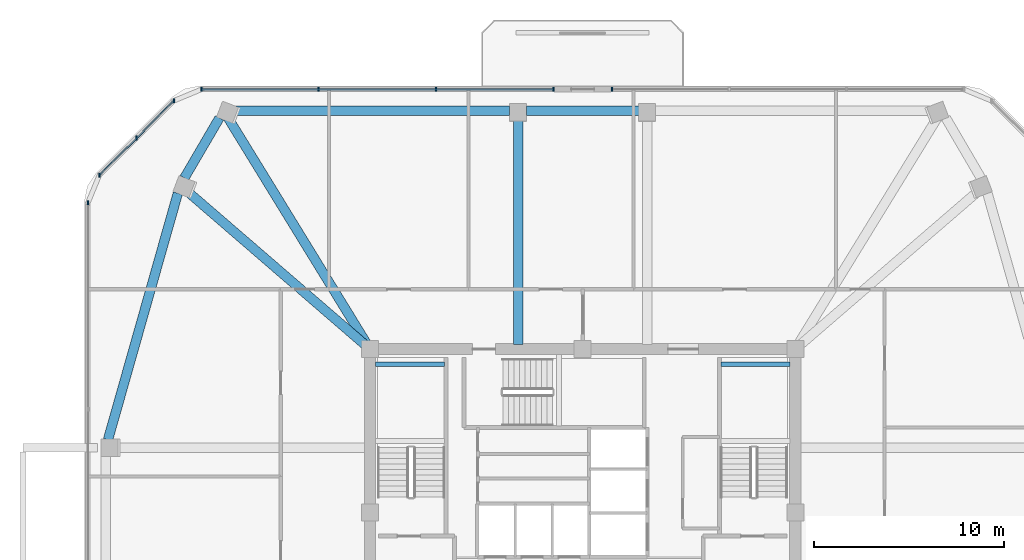
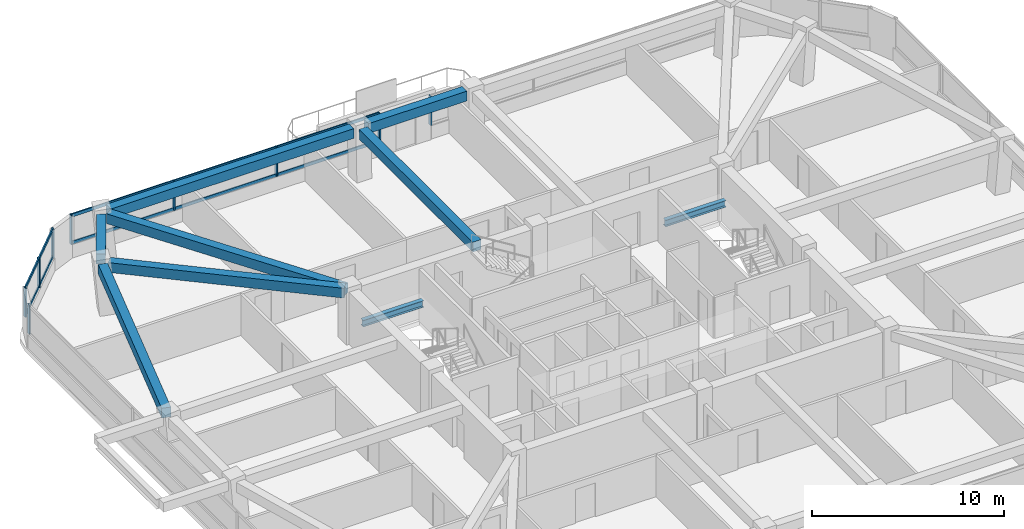
# One storey, part 6 of 14: 13 members, 9 beams, 4 elements without a shape of their own.
"""IFC4 building model written with IfcOpenShell, lengths in metres."""

from ifc_helpers import new_model, si_unit, derived_unit, direction, frame, origin, origin_2d, place, context, subcontext, project, spatial, rectangle, i_section, extrude, material, material_profile, profile_set, type_object, element, aggregate, save


model = new_model("IFC4")

# Units and contexts
model_context = context("Model", 3, precision=1e-05, world=origin(), true_north=direction((0.0, 1.0)))
body_context = subcontext(model_context, "Body", "Model", "MODEL_VIEW")
ifc_project = project(units=[si_unit("LENGTHUNIT", "METRE"), si_unit("AREAUNIT", "SQUARE_METRE"), si_unit("VOLUMEUNIT", "CUBIC_METRE"), si_unit("PLANEANGLEUNIT", "RADIAN"), si_unit("MASSUNIT", "GRAM", prefix="KILO"), derived_unit("THERMALTRANSMITTANCEUNIT", [(si_unit("POWERUNIT", "WATT"), 1), (si_unit("LENGTHUNIT", "METRE"), -2), (si_unit("THERMODYNAMICTEMPERATUREUNIT", "KELVIN"), -1)])], contexts=[model_context])

# Site, building, storey
site_placement = place(None, origin())
site = spatial("IfcSite", under=ifc_project, at=site_placement, CompositionType="ELEMENT")
building_placement = place(site_placement, origin())
building = spatial("IfcBuilding", under=site, at=building_placement, Name="Koralith Skygarden Medical Center", CompositionType="ELEMENT")
storey_placement = place(building_placement, frame((0.0, 0.0, 210.780029296875)))
storey = spatial("IfcBuildingStorey", under=building, at=storey_placement, Name="L54", CompositionType="ELEMENT", Elevation=210.780029296875)

# Curtain wall, member
ifc_material_1 = material(Name="Clear Laminated Glass", Category="glass")
curtain_wall_type = type_object("IfcCurtainWallType", Name="CW-5 Zone 4 Flare Biophilic Curtain Wall", PredefinedType="NOTDEFINED", material=ifc_material_1)
curtain_wall_1_placement = place(storey_placement, origin())
curtain_wall_1 = element("IfcCurtainWall", 1, at=curtain_wall_1_placement, inside=storey, type_object=curtain_wall_type, Name="Curtain Wall CW-L54-N-L", PredefinedType="NOTDEFINED")
ifc_material_2 = material(Name="Aluminium 6063-T6", Category="aluminium")
ifc_material_profile_1 = material_profile(ifc_material_2, rectangle(XDim=0.080078125, YDim=0.219970703125, at=origin_2d()), Name="MUL80X220")
ifc_profile_set_1 = profile_set([ifc_material_profile_1], Name="Aluminium 6063-T6")
member_type_1 = type_object("IfcMemberType", Name="CW-5 Extruded Mullion 80x220", PredefinedType="MULLION", material=ifc_profile_set_1)
member_1_placement = place(storey_placement, frame((38.541015625, 48.173095703125, 0.849853515625), z_axis=(0.0, 0.0, 1.0), x_axis=(1.0, 0.0, 0.0)))
member_1 = element("IfcMember", 2, at=member_1_placement, type_object=member_type_1, Name="CW-L54-N-L Mullion 4", PredefinedType="MULLION", context=body_context, shape_type="SweptSolid", body=[
    extrude(rectangle(XDim=0.080078125, YDim=0.219970703125, at=origin_2d()), origin(), (0.0, 0.0, 1.0), 1.840087890625),
])
aggregate(curtain_wall_1, [member_1])

# Curtain wall, members
curtain_wall_2_placement = place(storey_placement, origin())
curtain_wall_2 = element("IfcCurtainWall", 3, at=curtain_wall_2_placement, inside=storey, type_object=curtain_wall_type, Name="Curtain Wall CW-L54-N-R", PredefinedType="NOTDEFINED")
member_2_placement = place(storey_placement, frame((35.4609375, 48.173095703125, 0.849853515625), z_axis=(0.0, 0.0, 1.0), x_axis=(1.0, 0.0, 0.0)))
member_2 = element("IfcMember", 4, at=member_2_placement, type_object=member_type_1, Name="CW-L54-N-R Mullion 1", PredefinedType="MULLION", context=body_context, shape_type="SweptSolid", body=[
    extrude(rectangle(XDim=0.080078125, YDim=0.219970703125, at=origin_2d()), origin(), (0.0, 0.0, 1.0), 1.840087890625),
])
member_3_placement = place(storey_placement, frame((29.281005859375, 48.173095703125, 0.849853515625), z_axis=(0.0, 0.0, 1.0), x_axis=(1.0, 0.0, 0.0)))
member_3 = element("IfcMember", 5, at=member_3_placement, type_object=member_type_1, Name="CW-L54-N-R Mullion 2", PredefinedType="MULLION", context=body_context, shape_type="SweptSolid", body=[
    extrude(rectangle(XDim=0.080078125, YDim=0.219970703125, at=origin_2d()), origin(), (0.0, 0.0, 1.0), 1.840087890625),
])
member_4_placement = place(storey_placement, frame((23.10009765625, 48.173095703125, 0.849853515625), z_axis=(0.0, 0.0, 1.0), x_axis=(1.0, 0.0, 0.0)))
member_4 = element("IfcMember", 6, at=member_4_placement, type_object=member_type_1, Name="CW-L54-N-R Mullion 3", PredefinedType="MULLION", context=body_context, shape_type="SweptSolid", body=[
    extrude(rectangle(XDim=0.080078125, YDim=0.219970703125, at=origin_2d()), origin(), (0.0, 0.0, 1.0), 1.840087890625),
])
member_5_placement = place(storey_placement, frame((16.919921875, 48.173095703125, 0.849853515625), z_axis=(0.0, 0.0, 1.0), x_axis=(1.0, 0.0, 0.0)))
member_5 = element("IfcMember", 7, at=member_5_placement, type_object=member_type_1, Name="CW-L54-N-R Mullion 4", PredefinedType="MULLION", context=body_context, shape_type="SweptSolid", body=[
    extrude(rectangle(XDim=0.080078125, YDim=0.219970703125, at=origin_2d()), origin(), (0.0, 0.0, 1.0), 1.840087890625),
])

curtain_wall_3_placement = place(storey_placement, origin())
curtain_wall_3 = element("IfcCurtainWall", 8, at=curtain_wall_3_placement, inside=storey, type_object=curtain_wall_type, Name="Curtain Wall CW-L54-NW", PredefinedType="NOTDEFINED")
member_6_placement = place(storey_placement, frame((15.468994140625, 47.572021484375, 0.849853515625), z_axis=(0.0, 0.0, 1.0), x_axis=(1.0, 0.0, 0.0)))
member_6 = element("IfcMember", 9, at=member_6_placement, type_object=member_type_1, Name="CW-L54-NW Mullion 1", PredefinedType="MULLION", context=body_context, shape_type="SweptSolid", body=[
    extrude(rectangle(XDim=0.080078125, YDim=0.219970703125, at=origin_2d()), origin(), (0.0, 0.0, 1.0), 1.840087890625),
])
member_7_placement = place(storey_placement, frame((13.508056640625, 45.611083984375, 0.849853515625), z_axis=(0.0, 0.0, 1.0), x_axis=(1.0, 0.0, 0.0)))
member_7 = element("IfcMember", 10, at=member_7_placement, type_object=member_type_1, Name="CW-L54-NW Mullion 2", PredefinedType="MULLION", context=body_context, shape_type="SweptSolid", body=[
    extrude(rectangle(XDim=0.080078125, YDim=0.219970703125, at=origin_2d()), origin(), (0.0, 0.0, 1.0), 1.840087890625),
])
member_8_placement = place(storey_placement, frame((11.5458984375, 43.64892578125, 0.849853515625), z_axis=(0.0, 0.0, 1.0), x_axis=(1.0, 0.0, 0.0)))
member_8 = element("IfcMember", 11, at=member_8_placement, type_object=member_type_1, Name="CW-L54-NW Mullion 3", PredefinedType="MULLION", context=body_context, shape_type="SweptSolid", body=[
    extrude(rectangle(XDim=0.080078125, YDim=0.219970703125, at=origin_2d()), origin(), (0.0, 0.0, 1.0), 1.840087890625),
])

# Curtain wall, member
curtain_wall_4_placement = place(storey_placement, origin())
curtain_wall_4 = element("IfcCurtainWall", 12, at=curtain_wall_4_placement, inside=storey, type_object=curtain_wall_type, Name="Curtain Wall CW-L54-W", PredefinedType="NOTDEFINED")
member_9_placement = place(storey_placement, frame((10.945068359375, 42.197998046875, 0.849853515625), z_axis=(0.0, 0.0, 1.0), x_axis=(1.0, 0.0, 0.0)))
member_9 = element("IfcMember", 13, at=member_9_placement, type_object=member_type_1, Name="CW-L54-W Mullion 1", PredefinedType="MULLION", context=body_context, shape_type="SweptSolid", body=[
    extrude(rectangle(XDim=0.080078125, YDim=0.219970703125, at=origin_2d()), origin(), (0.0, 0.0, 1.0), 1.840087890625),
])
aggregate(curtain_wall_4, [member_9])

# Member
ifc_material_profile_2 = material_profile(ifc_material_2, rectangle(XDim=0.074951171875, YDim=0.197998046875, at=origin_2d()), Name="TRN75X198")
ifc_profile_set_2 = profile_set([ifc_material_profile_2], Name="Aluminium 6063-T6")
member_type_2 = type_object("IfcMemberType", Name="CW-5 Thermal Transom 75x198", PredefinedType="USERDEFINED", material=ifc_profile_set_2)
member_10_placement = place(storey_placement, frame((35.4609375, 48.173095703125, 0.89990234375), z_axis=(-1.0, 0.0, 0.0), x_axis=(0.0, -1.0, 0.0)))
member_10 = element("IfcMember", 14, at=member_10_placement, type_object=member_type_2, Name="CW-L54-N-R Transom 1", ObjectType="TRANSOM", PredefinedType="USERDEFINED", context=body_context, shape_type="SweptSolid", body=[
    extrude(rectangle(XDim=0.074951171875, YDim=0.197998046875, at=origin_2d()), origin(), (0.0, 0.0, 1.0), 18.541015625),
])

member_11_placement = place(storey_placement, frame((35.4609375, 48.173095703125, 2.639892578125), z_axis=(-1.0, 0.0, 0.0), x_axis=(0.0, -1.0, 0.0)))
member_11 = element("IfcMember", 15, at=member_11_placement, type_object=member_type_2, Name="CW-L54-N-R Transom 2", ObjectType="TRANSOM", PredefinedType="USERDEFINED", context=body_context, shape_type="SweptSolid", body=[
    extrude(rectangle(XDim=0.074951171875, YDim=0.197998046875, at=origin_2d()), origin(), (0.0, 0.0, 1.0), 18.541015625),
])

aggregate(curtain_wall_2, [member_2, member_3, member_4, member_5, member_10, member_11])

member_12_placement = place(storey_placement, frame((15.468994140625, 47.572021484375, 0.89990234375), z_axis=(-0.707106781187, -0.707106781187, 0.0), x_axis=(0.707106781187, -0.707106781187, 0.0)))
member_12 = element("IfcMember", 16, at=member_12_placement, type_object=member_type_2, Name="CW-L54-NW Transom 1", ObjectType="TRANSOM", PredefinedType="USERDEFINED", context=body_context, shape_type="SweptSolid", body=[
    extrude(rectangle(XDim=0.074951171875, YDim=0.197998046875, at=origin_2d()), origin(), (0.0, 0.0, 1.0), 5.548095703125),
])

member_13_placement = place(storey_placement, frame((15.468994140625, 47.572021484375, 2.639892578125), z_axis=(-0.707106781187, -0.707106781187, 0.0), x_axis=(0.707106781187, -0.707106781187, 0.0)))
member_13 = element("IfcMember", 17, at=member_13_placement, type_object=member_type_2, Name="CW-L54-NW Transom 2", ObjectType="TRANSOM", PredefinedType="USERDEFINED", context=body_context, shape_type="SweptSolid", body=[
    extrude(rectangle(XDim=0.074951171875, YDim=0.197998046875, at=origin_2d()), origin(), (0.0, 0.0, 1.0), 5.548095703125),
])

aggregate(curtain_wall_3, [member_6, member_7, member_8, member_12, member_13])

# Beams
ifc_material_3 = material(Name="Steel ASTM A992 Grade 50", Category="steel")
ifc_material_profile_3 = material_profile(ifc_material_3, i_section(OverallWidth=0.260009765625, OverallDepth=0.4150390625, WebThickness=0.010009765625, FlangeThickness=0.016845703125, at=origin_2d()), Name="W16X67")
ifc_profile_set_3 = profile_set([ifc_material_profile_3], Name="Steel ASTM A992 Grade 50")
beam_type_1 = type_object("IfcBeamType", Name="Clinical Floor Joist W16X67", PredefinedType="JOIST", material=ifc_profile_set_3)
for number, where, z_axis, x_axis, name in (
    (18, (26.080078125, 33.699951171875, 1.39306640625), (1.0, 0.0, 0.0), (0.0, 1.0, 0.0), "L54 Stair ST1 Half-Landing Support Beam 1B"),
    (19, (44.280029296875, 33.699951171875, 1.39306640625), (1.0, 0.0, 0.0), (0.0, 1.0, 0.0), "L54 Stair ST2 Half-Landing Support Beam 1B"),
):
    element("IfcBeam", number, at=place(storey_placement, frame(where, z_axis=z_axis, x_axis=x_axis)), inside=storey, type_object=beam_type_1, Name=name, PredefinedType="JOIST", context=body_context, shape_type="SweptSolid", body=[
        extrude(i_section(OverallWidth=0.260009765625, OverallDepth=0.4150390625, WebThickness=0.010009765625, FlangeThickness=0.016845703125, at=origin_2d()), origin(), (0.0, 0.0, 1.0), 3.639892578125),
    ])
ifc_material_4 = material(Name="Concrete C45/55", Category="concrete")
ifc_material_profile_4 = material_profile(ifc_material_4, rectangle(XDim=0.5, YDim=0.6201171875, at=origin_2d()), Name="RCB500X620")
ifc_profile_set_4 = profile_set([ifc_material_profile_4], Name="Concrete C45/55")
beam_type_2 = type_object("IfcBeamType", Name="Upper Radial Collector Beam RCB500X620", PredefinedType="BEAM", material=ifc_profile_set_4)
beam_1_placement = place(storey_placement, frame((33.60009765625, 34.75, 3.010009765625), z_axis=(0.0, 1.0, 0.0), x_axis=(-1.0, 0.0, 0.0)))
element("IfcBeam", 20, at=beam_1_placement, inside=storey, type_object=beam_type_2, Name="L54 Radial Collector Beam RB-13", PredefinedType="BEAM", context=body_context, shape_type="SweptSolid", body=[
    extrude(rectangle(XDim=0.5, YDim=0.6201171875, at=origin_2d()), origin(), (0.0, 0.0, 1.0), 11.85791015625),
])
beam_2_placement = place(storey_placement, frame((25.6689453125, 34.712890625, 3.010009765625), z_axis=(-0.523263476574, 0.852170953555, 0.0), x_axis=(-0.852170953555, -0.523263476574, 0.0)))
element("IfcBeam", 21, at=beam_2_placement, inside=storey, type_object=beam_type_2, Name="L54 Radial Collector Beam RB-14", PredefinedType="BEAM", context=body_context, shape_type="SweptSolid", body=[
    extrude(rectangle(XDim=0.5, YDim=0.6201171875, at=origin_2d()), origin(), (0.0, 0.0, 1.0), 14.034912109375),
])
beam_3_placement = place(storey_placement, frame((25.611083984375, 34.6630859375, 3.010009765625), z_axis=(-0.757022971029, 0.653388262318, 0.0), x_axis=(-0.653388262318, -0.757022971029, 0.0)))
element("IfcBeam", 22, at=beam_3_placement, inside=storey, type_object=beam_type_2, Name="L54 Radial Collector Beam RB-15", PredefinedType="BEAM", context=body_context, shape_type="SweptSolid", body=[
    extrude(rectangle(XDim=0.5, YDim=0.6201171875, at=origin_2d()), origin(), (0.0, 0.0, 1.0), 12.516357421875),
])
ifc_material_profile_5 = material_profile(ifc_material_4, rectangle(XDim=0.5, YDim=0.6201171875, at=origin_2d()), Name="RCB500X620")
ifc_profile_set_5 = profile_set([ifc_material_profile_5], Name="Concrete C45/55")
beam_type_3 = type_object("IfcBeamType", Name="Zone 4-5 Spandrel Beam RCB500X620", PredefinedType="SPANDREL", material=ifc_profile_set_5)
beam_4_placement = place(storey_placement, frame((39.9599609375, 47.048095703125, 3.010009765625), z_axis=(-1.0, 0.0, 0.0), x_axis=(0.0, -1.0, 0.0)))
element("IfcBeam", 23, at=beam_4_placement, inside=storey, type_object=beam_type_3, Name="L54 Perimeter Spandrel Beam SP-12", PredefinedType="SPANDREL", context=body_context, shape_type="SweptSolid", body=[
    extrude(rectangle(XDim=0.5, YDim=0.6201171875, at=origin_2d()), origin(), (0.0, 0.0, 1.0), 5.919921875),
])
beam_5_placement = place(storey_placement, frame((33.159912109375, 47.048095703125, 3.010009765625), z_axis=(-1.0, 0.0, 0.0), x_axis=(0.0, -1.0, 0.0)))
element("IfcBeam", 24, at=beam_5_placement, inside=storey, type_object=beam_type_3, Name="L54 Perimeter Spandrel Beam SP-13", PredefinedType="SPANDREL", context=body_context, shape_type="SweptSolid", body=[
    extrude(rectangle(XDim=0.5, YDim=0.6201171875, at=origin_2d()), origin(), (0.0, 0.0, 1.0), 14.625),
])
beam_6_placement = place(storey_placement, frame((17.873046875, 46.66796875, 3.010009765625), z_axis=(-0.504861750403, -0.863200216045, 0.0), x_axis=(0.863200216045, -0.504861750403, 0.0)))
element("IfcBeam", 25, at=beam_6_placement, inside=storey, type_object=beam_type_3, Name="L54 Perimeter Spandrel Beam SP-14", PredefinedType="SPANDREL", context=body_context, shape_type="SweptSolid", body=[
    extrude(rectangle(XDim=0.5, YDim=0.6201171875, at=origin_2d()), origin(), (0.0, 0.0, 1.0), 3.66064453125),
])
beam_7_placement = place(storey_placement, frame((15.68310546875, 42.705078125, 3.010009765625), z_axis=(-0.272732369898, -0.962089940915, 0.0), x_axis=(0.962089940915, -0.272732369898, 0.0)))
element("IfcBeam", 26, at=beam_7_placement, inside=storey, type_object=beam_type_3, Name="L54 Perimeter Spandrel Beam SP-15", PredefinedType="SPANDREL", context=body_context, shape_type="SweptSolid", body=[
    extrude(rectangle(XDim=0.5, YDim=0.6201171875, at=origin_2d()), origin(), (0.0, 0.0, 1.0), 13.49365234375),
])

save(model, "model.ifc")
